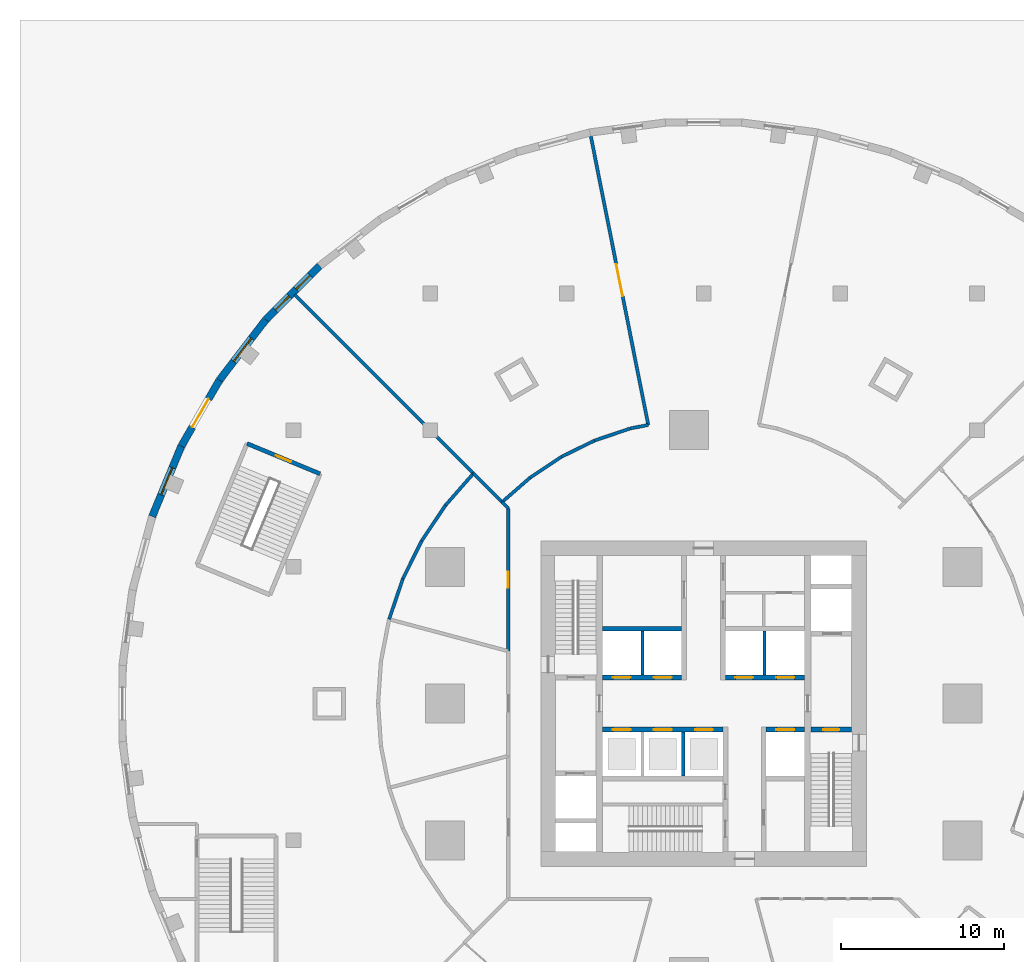
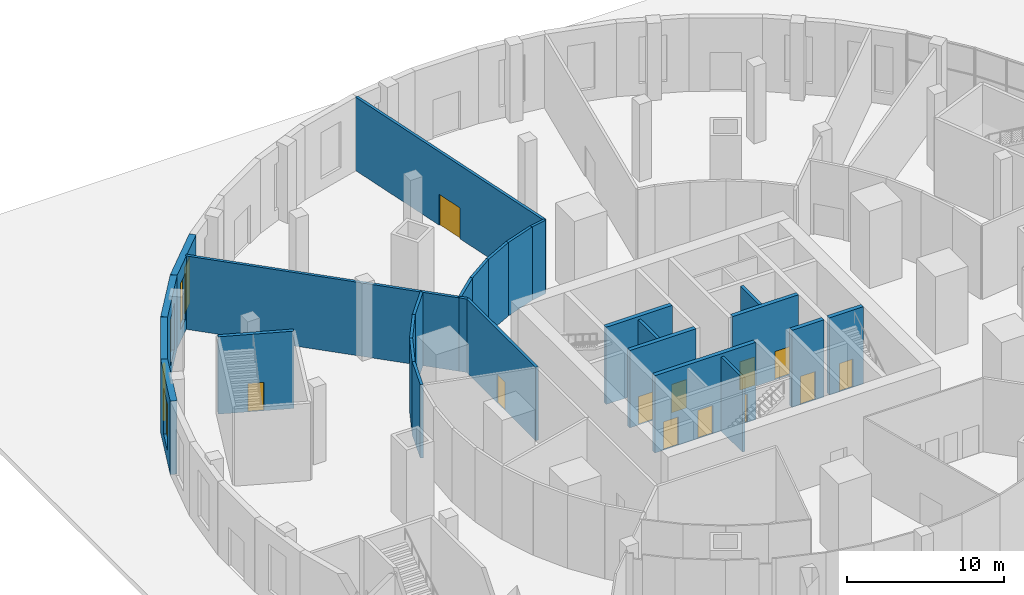
# One storey, part 12 of 19: 28 walls, 13 doors, 4 windows, 17 openings.
"""IFC4 building model written with IfcOpenShell, lengths in metres."""

from ifc_helpers import new_model, si_unit, direction, frame, frame_2d, origin, place, context, subcontext, project, spatial, rectangle, extrude, material, layer, layer_set, type_object, element, fill, save


model = new_model("IFC4")

# Units and contexts
model_context = context("Model", 3, precision=1e-05, world=origin(), true_north=direction((0.0, 1.0)))
body_context = subcontext(model_context, "Body", "Model", "MODEL_VIEW")
ifc_project = project(units=[si_unit("LENGTHUNIT", "METRE"), si_unit("AREAUNIT", "SQUARE_METRE"), si_unit("VOLUMEUNIT", "CUBIC_METRE"), si_unit("PLANEANGLEUNIT", "RADIAN"), si_unit("MASSUNIT", "GRAM", prefix="KILO")], contexts=[model_context])

# Site, building, storey
site_placement = place(None, origin())
site = spatial("IfcSite", under=ifc_project, at=site_placement, CompositionType="ELEMENT")
building_placement = place(site_placement, origin())
building = spatial("IfcBuilding", under=site, at=building_placement, Name="Golbaran Civic Tower", CompositionType="ELEMENT")
storey_placement = place(building_placement, origin())
storey = spatial("IfcBuildingStorey", under=building, at=storey_placement, Name="L00", CompositionType="ELEMENT", Elevation=0.0)

# Walls
ifc_material_1 = material(Name="Concrete block", Category="concrete")
ifc_layer_1 = layer(ifc_material_1, 0.199951171875, Name="Concrete block")
ifc_layer_set_1 = layer_set([ifc_layer_1], Name="Concrete block")
wall_type_1 = type_object("IfcWallType", Name="LIFT SEPARATOR WALL 200", PredefinedType="SOLIDWALL", material=ifc_layer_set_1)
for number, where, z_axis, x_axis, name in (
    (1, (-3.75, 1.75, 0.0), (0.0, 0.0, 1.0), (0.0, 1.0, 0.0), "Core partition SNW L00"),
    (2, (3.75, 1.75, 0.0), (0.0, 0.0, 1.0), (0.0, 1.0, 0.0), "Core partition SNE L00"),
    (3, (-1.25, -1.75, 0.0), (0.0, 0.0, 1.0), (0.0, -1.0, 0.0), "Core partition SSM L00"),
):
    element("IfcWall", number, at=place(storey_placement, frame(where, z_axis=z_axis, x_axis=x_axis)), inside=storey, type_object=wall_type_1, Name=name, PredefinedType="SOLIDWALL", context=body_context, shape_type="SweptSolid", body=[
        extrude(rectangle(XDim=2.699951171875, YDim=0.199951171875, at=frame_2d((1.35009765625, 0.0))), origin(), (0.0, 0.0, 1.0), 5.75),
    ])
ifc_material_2 = material(Name="Concrete block, plastered", Category="concrete")
ifc_layer_2 = layer(ifc_material_2, 0.199951171875, Name="Concrete block, plastered")
ifc_layer_set_2 = layer_set([ifc_layer_2], Name="Concrete block, plastered")
wall_type_2 = type_object("IfcWallType", Name="PODIUM PARTITION 200", PredefinedType="PARTITIONING", material=ifc_layer_set_2)
wall_1_placement = place(storey_placement, frame((-25.1201171875, 25.1201171875, 0.0), z_axis=(0.0, 0.0, 1.0), x_axis=(0.707106781187, -0.707106781187, 0.0)))
element("IfcWall", 4, at=wall_1_placement, inside=storey, type_object=wall_type_2, Name="Podium partition L00", PredefinedType="PARTITIONING", context=body_context, shape_type="SweptSolid", body=[
    extrude(rectangle(XDim=15.5283203125, YDim=0.199951171875, at=frame_2d((7.76416015625, 0.0))), origin(), (0.0, 0.0, 1.0), 5.699951171875),
])
wall_2_placement = place(storey_placement, frame((-19.320068359375, 5.179931640625, 0.0), z_axis=(0.0, 0.0, 1.0), x_axis=(0.320839411875, 0.947133608203, 0.0)))
element("IfcWall", 5, at=wall_2_placement, inside=storey, type_object=wall_type_2, Name="Podium partition L00", PredefinedType="PARTITIONING", context=body_context, shape_type="SweptSolid", body=[
    extrude(rectangle(XDim=2.618408203125, YDim=0.199951171875, at=frame_2d((1.30908203125, 0.0))), origin(), (0.0, 0.0, 1.0), 5.699951171875),
])
wall_3_placement = place(storey_placement, frame((-18.47998046875, 7.659912109375, 0.0), z_axis=(0.0, 0.0, 1.0), x_axis=(0.444107479291, 0.895973519049, 0.0)))
element("IfcWall", 6, at=wall_3_placement, inside=storey, type_object=wall_type_2, Name="Podium partition L00", PredefinedType="PARTITIONING", context=body_context, shape_type="SweptSolid", body=[
    extrude(rectangle(XDim=2.61181640625, YDim=0.199951171875, at=frame_2d((1.305908203125, 0.0))), origin(), (0.0, 0.0, 1.0), 5.699951171875),
])
wall_4_placement = place(storey_placement, frame((-17.320068359375, 10.0, 0.0), z_axis=(0.0, 0.0, 1.0), x_axis=(0.556459812229, 0.83087452565, 0.0)))
element("IfcWall", 7, at=wall_4_placement, inside=storey, type_object=wall_type_2, Name="Podium partition L00", PredefinedType="PARTITIONING", context=body_context, shape_type="SweptSolid", body=[
    extrude(rectangle(XDim=2.623779296875, YDim=0.199951171875, at=frame_2d((1.31201171875, 0.0))), origin(), (0.0, 0.0, 1.0), 5.699951171875),
])
wall_5_placement = place(storey_placement, frame((-15.860107421875, 12.179931640625, 0.0), z_axis=(0.0, 0.0, 1.0), x_axis=(0.659643857667, 0.751578326618, 0.0)))
element("IfcWall", 8, at=wall_5_placement, inside=storey, type_object=wall_type_2, Name="Podium partition L00", PredefinedType="PARTITIONING", context=body_context, shape_type="SweptSolid", body=[
    extrude(rectangle(XDim=2.60791015625, YDim=0.199951171875, at=frame_2d((1.303955078125, 0.0))), origin(), (0.0, 0.0, 1.0), 5.699951171875),
])
wall_6_placement = place(storey_placement, frame((-14.139892578125, 14.139892578125, 0.0), z_axis=(0.0, 0.0, 1.0), x_axis=(0.707106781187, -0.707106781187, 0.0)))
element("IfcWall", 9, at=wall_6_placement, inside=storey, type_object=wall_type_2, Name="Podium partition L00", PredefinedType="PARTITIONING", context=body_context, shape_type="SweptSolid", body=[
    extrude(rectangle(XDim=2.489013671875, YDim=0.199951171875, at=frame_2d((1.24462890625, 0.0))), origin(), (0.0, 0.0, 1.0), 5.699951171875),
])
wall_7_placement = place(storey_placement, frame((-12.3798828125, 12.3798828125, 0.0), z_axis=(0.0, 0.0, 1.0), x_axis=(0.707106781187, -0.707106781187, 0.0)))
element("IfcWall", 10, at=wall_7_placement, inside=storey, type_object=wall_type_2, Name="Podium partition L00", PredefinedType="PARTITIONING", context=body_context, shape_type="SweptSolid", body=[
    extrude(rectangle(XDim=0.537353515625, YDim=0.199951171875, at=frame_2d((0.2685546875, 0.0))), origin(), (0.0, 0.0, 1.0), 5.699951171875),
])
wall_8_placement = place(storey_placement, frame((-12.3798828125, 12.3798828125, 0.0), z_axis=(0.0, 0.0, 1.0), x_axis=(0.753655870045, 0.657269221512, 0.0)))
element("IfcWall", 11, at=wall_8_placement, inside=storey, type_object=wall_type_2, Name="Podium partition L00", PredefinedType="PARTITIONING", context=body_context, shape_type="SweptSolid", body=[
    extrude(rectangle(XDim=2.2822265625, YDim=0.199951171875, at=frame_2d((1.14111328125, 0.0))), origin(), (0.0, 0.0, 1.0), 5.699951171875),
])
wall_9_placement = place(storey_placement, frame((-10.659912109375, 13.8798828125, 0.0), z_axis=(0.0, 0.0, 1.0), x_axis=(0.83203401661, 0.554724612041, 0.0)))
element("IfcWall", 12, at=wall_9_placement, inside=storey, type_object=wall_type_2, Name="Podium partition L00", PredefinedType="PARTITIONING", context=body_context, shape_type="SweptSolid", body=[
    extrude(rectangle(XDim=2.3076171875, YDim=0.199951171875, at=frame_2d((1.15380859375, 0.0))), origin(), (0.0, 0.0, 1.0), 5.699951171875),
])
wall_10_placement = place(storey_placement, frame((-8.739990234375, 15.159912109375, 0.0), z_axis=(0.0, 0.0, 1.0), x_axis=(0.897924053718, 0.440150421736, 0.0)))
element("IfcWall", 13, at=wall_10_placement, inside=storey, type_object=wall_type_2, Name="Podium partition L00", PredefinedType="PARTITIONING", context=body_context, shape_type="SweptSolid", body=[
    extrude(rectangle(XDim=2.27197265625, YDim=0.199951171875, at=frame_2d((1.135986328125, 0.0))), origin(), (0.0, 0.0, 1.0), 5.699951171875),
])

# Wall, opening, door
wall_11_placement = place(storey_placement, frame((-6.93994140625, 34.919921875, 0.0), z_axis=(0.0, 0.0, 1.0), x_axis=(0.195060521619, -0.9807912076, 0.0)))
wall_11 = element("IfcWall", 14, at=wall_11_placement, inside=storey, type_object=wall_type_2, Name="Podium partition L00", PredefinedType="PARTITIONING", context=body_context, shape_type="SweptSolid", body=[
    extrude(rectangle(XDim=18.1484375, YDim=0.199951171875, at=frame_2d((9.07421875, 0.0))), origin(), (0.0, 0.0, 1.0), 5.699951171875),
])
opening_1_placement = place(wall_11_placement, frame((8.07421875, 0.0, 0.0)))
opening_1 = element("IfcOpeningElement", 15, at=opening_1_placement, cuts=wall_11, Name="Opening L00.21", PredefinedType="OPENING", context=body_context, shape_type="SweptSolid", body=[
    extrude(rectangle(XDim=2.0, YDim=2.39990234375, at=frame_2d((1.0, 1.199951171875))), frame((0.0, 0.10986328125, 0.0), z_axis=(0.0, -1.0, 0.0), x_axis=(1.0, 0.0, 0.0)), (0.0, 0.0, 1.0), 0.219970703125),
])
ifc_material_3 = material(Name="Timber door set in steel frame", Category="steel")
door_type_1 = type_object("IfcDoorType", Name="PUBLIC DOUBLE DOOR 2000x2400", OperationType="DOUBLE_DOOR_SINGLE_SWING", PredefinedType="DOOR", material=ifc_material_3)
door_1_placement = place(opening_1_placement, origin())
door_1 = element("IfcDoor", 16, at=door_1_placement, inside=storey, type_object=door_type_1, Name="Public Reading Room door", OperationType="DOUBLE_DOOR_SINGLE_SWING", OverallHeight=2.39990234375, OverallWidth=2.0, PredefinedType="DOOR", context=body_context, shape_type="SweptSolid", body=[
    extrude(rectangle(XDim=2.0, YDim=2.39990234375, at=frame_2d((1.0, 1.199951171875))), frame((0.0, 0.02490234375, 0.0), z_axis=(0.0, -1.0, 0.0), x_axis=(1.0, 0.0, 0.0)), (0.0, 0.0, 1.0), 0.050048828125),
])
fill(opening_1, door_1)

# Walls
wall_12_placement = place(storey_placement, frame((-6.699951171875, 16.159912109375, 0.0), z_axis=(0.0, 0.0, 1.0), x_axis=(0.946929712354, 0.321440694159, 0.0)))
element("IfcWall", 17, at=wall_12_placement, inside=storey, type_object=wall_type_2, Name="Podium partition L00", PredefinedType="PARTITIONING", context=body_context, shape_type="SweptSolid", body=[
    extrude(rectangle(XDim=2.302001953125, YDim=0.199951171875, at=frame_2d((1.15087890625, 0.0))), origin(), (0.0, 0.0, 1.0), 5.699951171875),
])
wall_13_placement = place(storey_placement, frame((-4.52001953125, 16.89990234375, 0.0), z_axis=(0.0, 0.0, 1.0), x_axis=(0.981217026057, 0.19290709623, 0.0)))
element("IfcWall", 18, at=wall_13_placement, inside=storey, type_object=wall_type_2, Name="Podium partition L00", PredefinedType="PARTITIONING", context=body_context, shape_type="SweptSolid", body=[
    extrude(rectangle(XDim=1.1416015625, YDim=0.199951171875, at=frame_2d((0.57080078125, 0.0))), origin(), (0.0, 0.0, 1.0), 5.699951171875),
])

# Wall, opening, door
wall_14_placement = place(storey_placement, frame((-12.0, 12.0, 0.0), z_axis=(0.0, 0.0, 1.0), x_axis=(0.0, -1.0, 0.0)))
wall_14 = element("IfcWall", 19, at=wall_14_placement, inside=storey, type_object=wall_type_2, Name="Podium corridor wall L00", PredefinedType="PARTITIONING", context=body_context, shape_type="SweptSolid", body=[
    extrude(rectangle(XDim=8.78466796875, YDim=0.199951171875, at=frame_2d((4.392333984375, 0.0))), origin(), (0.0, 0.0, 1.0), 5.699951171875),
])
opening_2_placement = place(wall_14_placement, frame((3.892333984375, 0.0, 0.0)))
opening_2 = element("IfcOpeningElement", 20, at=opening_2_placement, cuts=wall_14, Name="Opening L00.01", PredefinedType="OPENING", context=body_context, shape_type="SweptSolid", body=[
    extrude(rectangle(XDim=1.0, YDim=2.199951171875, at=frame_2d((0.5, 1.10009765625))), frame((0.0, 0.10986328125, 0.0), z_axis=(0.0, -1.0, 0.0), x_axis=(1.0, 0.0, 0.0)), (0.0, 0.0, 1.0), 0.219970703125),
])
door_type_2 = type_object("IfcDoorType", Name="OFFICE DOOR 1000x2200", OperationType="SINGLE_SWING_LEFT", PredefinedType="DOOR", material=ifc_material_3)
door_2_placement = place(opening_2_placement, origin())
door_2 = element("IfcDoor", 21, at=door_2_placement, inside=storey, type_object=door_type_2, Name="Fire Command Room door", OperationType="SINGLE_SWING_RIGHT", OverallHeight=2.199951171875, OverallWidth=1.0, PredefinedType="DOOR", context=body_context, shape_type="SweptSolid", body=[
    extrude(rectangle(XDim=1.0, YDim=2.199951171875, at=frame_2d((0.5, 1.10009765625))), frame((0.0, 0.02490234375, 0.0), z_axis=(0.0, -1.0, 0.0), x_axis=(1.0, 0.0, 0.0)), (0.0, 0.0, 1.0), 0.050048828125),
])
fill(opening_2, door_2)

# Wall, openings, doors
ifc_material_4 = material(Name="Concrete C50/60", Category="concrete")
ifc_layer_3 = layer(ifc_material_4, 0.300048828125, Name="Concrete C50/60")
ifc_layer_set_3 = layer_set([ifc_layer_3], Name="Concrete C50/60")
wall_type_3 = type_object("IfcWallType", Name="SHAFT WALL CONCRETE 300", PredefinedType="SOLIDWALL", material=ifc_layer_set_3)
wall_15_placement = place(storey_placement, frame((-6.199951171875, 1.60009765625, 0.0), z_axis=(0.0, 0.0, 1.0), x_axis=(1.0, 0.0, 0.0)))
wall_15 = element("IfcWall", 22, at=wall_15_placement, inside=storey, type_object=wall_type_3, Name="Core wall FNW L00", PredefinedType="SOLIDWALL", context=body_context, shape_type="SweptSolid", body=[
    extrude(rectangle(XDim=4.849853515625, YDim=0.300048828125, at=frame_2d((2.4248046875, 0.0))), origin(), (0.0, 0.0, 1.0), 6.0),
])
opening_3_placement = place(wall_15_placement, frame((0.625, 0.0, 0.0)))
opening_3 = element("IfcOpeningElement", 23, at=opening_3_placement, cuts=wall_15, Name="Opening L00.LD-Z1L", PredefinedType="OPENING", context=body_context, shape_type="SweptSolid", body=[
    extrude(rectangle(XDim=1.10009765625, YDim=2.199951171875, at=frame_2d((0.550048828125, 1.10009765625))), frame((0.0, 0.159912109375, 0.0), z_axis=(0.0, -1.0, 0.0), x_axis=(1.0, 0.0, 0.0)), (0.0, 0.0, 1.0), 0.320068359375),
])
opening_4_placement = place(wall_15_placement, frame((3.14990234375, 0.0, 0.0)))
opening_4 = element("IfcOpeningElement", 24, at=opening_4_placement, cuts=wall_15, Name="Opening L00.LD-Z2L", PredefinedType="OPENING", context=body_context, shape_type="SweptSolid", body=[
    extrude(rectangle(XDim=1.10009765625, YDim=2.199951171875, at=frame_2d((0.550048828125, 1.10009765625))), frame((0.0, 0.159912109375, 0.0), z_axis=(0.0, -1.0, 0.0), x_axis=(1.0, 0.0, 0.0)), (0.0, 0.0, 1.0), 0.320068359375),
])
ifc_material_5 = material(Name="Stainless steel", Category="steel")
door_type_3 = type_object("IfcDoorType", Name="LIFT LANDING DOOR 1100x2200", OperationType="SLIDING_TO_LEFT", PredefinedType="DOOR", material=ifc_material_5)
door_3_placement = place(opening_3_placement, origin())
door_3 = element("IfcDoor", 25, at=door_3_placement, inside=storey, type_object=door_type_3, Name="Lift landing door Z1L", OperationType="SLIDING_TO_LEFT", OverallHeight=2.199951171875, OverallWidth=1.10009765625, PredefinedType="DOOR", context=body_context, shape_type="SweptSolid", body=[
    extrude(rectangle(XDim=1.10009765625, YDim=2.199951171875, at=frame_2d((0.550048828125, 1.10009765625))), frame((0.0, 0.02490234375, 0.0), z_axis=(0.0, -1.0, 0.0), x_axis=(1.0, 0.0, 0.0)), (0.0, 0.0, 1.0), 0.050048828125),
])
fill(opening_3, door_3)
door_4_placement = place(opening_4_placement, origin())
door_4 = element("IfcDoor", 26, at=door_4_placement, inside=storey, type_object=door_type_3, Name="Lift landing door Z2L", OperationType="SLIDING_TO_LEFT", OverallHeight=2.199951171875, OverallWidth=1.10009765625, PredefinedType="DOOR", context=body_context, shape_type="SweptSolid", body=[
    extrude(rectangle(XDim=1.10009765625, YDim=2.199951171875, at=frame_2d((0.550048828125, 1.10009765625))), frame((0.0, 0.02490234375, 0.0), z_axis=(0.0, -1.0, 0.0), x_axis=(1.0, 0.0, 0.0)), (0.0, 0.0, 1.0), 0.050048828125),
])
fill(opening_4, door_4)

wall_16_placement = place(storey_placement, frame((1.35009765625, 1.60009765625, 0.0), z_axis=(0.0, 0.0, 1.0), x_axis=(1.0, 0.0, 0.0)))
wall_16 = element("IfcWall", 27, at=wall_16_placement, inside=storey, type_object=wall_type_3, Name="Core wall FNE L00", PredefinedType="SOLIDWALL", context=body_context, shape_type="SweptSolid", body=[
    extrude(rectangle(XDim=4.849853515625, YDim=0.300048828125, at=frame_2d((2.4248046875, 0.0))), origin(), (0.0, 0.0, 1.0), 6.0),
])
opening_5_placement = place(wall_16_placement, frame((0.60009765625, 0.0, 0.0)))
opening_5 = element("IfcOpeningElement", 28, at=opening_5_placement, cuts=wall_16, Name="Opening L00.LD-Z3L", PredefinedType="OPENING", context=body_context, shape_type="SweptSolid", body=[
    extrude(rectangle(XDim=1.10009765625, YDim=2.199951171875, at=frame_2d((0.550048828125, 1.10009765625))), frame((0.0, 0.159912109375, 0.0), z_axis=(0.0, -1.0, 0.0), x_axis=(1.0, 0.0, 0.0)), (0.0, 0.0, 1.0), 0.320068359375),
])
opening_6_placement = place(wall_16_placement, frame((3.125, 0.0, 0.0)))
opening_6 = element("IfcOpeningElement", 29, at=opening_6_placement, cuts=wall_16, Name="Opening L00.LD-Z4L", PredefinedType="OPENING", context=body_context, shape_type="SweptSolid", body=[
    extrude(rectangle(XDim=1.10009765625, YDim=2.199951171875, at=frame_2d((0.550048828125, 1.10009765625))), frame((0.0, 0.159912109375, 0.0), z_axis=(0.0, -1.0, 0.0), x_axis=(1.0, 0.0, 0.0)), (0.0, 0.0, 1.0), 0.320068359375),
])
door_5_placement = place(opening_5_placement, origin())
door_5 = element("IfcDoor", 30, at=door_5_placement, inside=storey, type_object=door_type_3, Name="Lift landing door Z3L", OperationType="SLIDING_TO_LEFT", OverallHeight=2.199951171875, OverallWidth=1.10009765625, PredefinedType="DOOR", context=body_context, shape_type="SweptSolid", body=[
    extrude(rectangle(XDim=1.10009765625, YDim=2.199951171875, at=frame_2d((0.550048828125, 1.10009765625))), frame((0.0, 0.02490234375, 0.0), z_axis=(0.0, -1.0, 0.0), x_axis=(1.0, 0.0, 0.0)), (0.0, 0.0, 1.0), 0.050048828125),
])
fill(opening_5, door_5)
door_6_placement = place(opening_6_placement, origin())
door_6 = element("IfcDoor", 31, at=door_6_placement, inside=storey, type_object=door_type_3, Name="Lift landing door Z4L", OperationType="SLIDING_TO_LEFT", OverallHeight=2.199951171875, OverallWidth=1.10009765625, PredefinedType="DOOR", context=body_context, shape_type="SweptSolid", body=[
    extrude(rectangle(XDim=1.10009765625, YDim=2.199951171875, at=frame_2d((0.550048828125, 1.10009765625))), frame((0.0, 0.02490234375, 0.0), z_axis=(0.0, -1.0, 0.0), x_axis=(1.0, 0.0, 0.0)), (0.0, 0.0, 1.0), 0.050048828125),
])
fill(opening_6, door_6)

# Wall
wall_17_placement = place(storey_placement, frame((-6.199951171875, 4.60009765625, 0.0), z_axis=(0.0, 0.0, 1.0), x_axis=(1.0, 0.0, 0.0)))
element("IfcWall", 32, at=wall_17_placement, inside=storey, type_object=wall_type_3, Name="Core wall BNW L00", PredefinedType="SOLIDWALL", context=body_context, shape_type="SweptSolid", body=[
    extrude(rectangle(XDim=4.849853515625, YDim=0.300048828125, at=frame_2d((2.4248046875, 0.0))), origin(), (0.0, 0.0, 1.0), 6.0),
])

# Wall, openings, doors
wall_18_placement = place(storey_placement, frame((-6.199951171875, -1.60009765625, 0.0), z_axis=(0.0, 0.0, 1.0), x_axis=(1.0, 0.0, 0.0)))
wall_18 = element("IfcWall", 33, at=wall_18_placement, inside=storey, type_object=wall_type_3, Name="Core wall FSW L00", PredefinedType="SOLIDWALL", context=body_context, shape_type="SweptSolid", body=[
    extrude(rectangle(XDim=7.39990234375, YDim=0.300048828125, at=frame_2d((3.699951171875, 0.0))), origin(), (0.0, 0.0, 1.0), 6.0),
])
opening_7_placement = place(wall_18_placement, frame((0.625, 0.0, 0.0)))
opening_7 = element("IfcOpeningElement", 34, at=opening_7_placement, cuts=wall_18, Name="Opening L00.LD-H1", PredefinedType="OPENING", context=body_context, shape_type="SweptSolid", body=[
    extrude(rectangle(XDim=1.10009765625, YDim=2.199951171875, at=frame_2d((0.550048828125, 1.10009765625))), frame((0.0, 0.159912109375, 0.0), z_axis=(0.0, -1.0, 0.0), x_axis=(1.0, 0.0, 0.0)), (0.0, 0.0, 1.0), 0.320068359375),
])
opening_8_placement = place(wall_18_placement, frame((3.14990234375, 0.0, 0.0)))
opening_8 = element("IfcOpeningElement", 35, at=opening_8_placement, cuts=wall_18, Name="Opening L00.LD-H2", PredefinedType="OPENING", context=body_context, shape_type="SweptSolid", body=[
    extrude(rectangle(XDim=1.10009765625, YDim=2.199951171875, at=frame_2d((0.550048828125, 1.10009765625))), frame((0.0, 0.159912109375, 0.0), z_axis=(0.0, -1.0, 0.0), x_axis=(1.0, 0.0, 0.0)), (0.0, 0.0, 1.0), 0.320068359375),
])
opening_9_placement = place(wall_18_placement, frame((5.675048828125, 0.0, 0.0)))
opening_9 = element("IfcOpeningElement", 36, at=opening_9_placement, cuts=wall_18, Name="Opening L00.LD-H3", PredefinedType="OPENING", context=body_context, shape_type="SweptSolid", body=[
    extrude(rectangle(XDim=1.10009765625, YDim=2.199951171875, at=frame_2d((0.550048828125, 1.10009765625))), frame((0.0, 0.159912109375, 0.0), z_axis=(0.0, -1.0, 0.0), x_axis=(1.0, 0.0, 0.0)), (0.0, 0.0, 1.0), 0.320068359375),
])
door_7_placement = place(opening_7_placement, origin())
door_7 = element("IfcDoor", 37, at=door_7_placement, inside=storey, type_object=door_type_3, Name="Lift landing door H1", OperationType="SLIDING_TO_LEFT", OverallHeight=2.199951171875, OverallWidth=1.10009765625, PredefinedType="DOOR", context=body_context, shape_type="SweptSolid", body=[
    extrude(rectangle(XDim=1.10009765625, YDim=2.199951171875, at=frame_2d((0.550048828125, 1.10009765625))), frame((0.0, 0.02490234375, 0.0), z_axis=(0.0, -1.0, 0.0), x_axis=(1.0, 0.0, 0.0)), (0.0, 0.0, 1.0), 0.050048828125),
])
fill(opening_7, door_7)
door_8_placement = place(opening_8_placement, origin())
door_8 = element("IfcDoor", 38, at=door_8_placement, inside=storey, type_object=door_type_3, Name="Lift landing door H2", OperationType="SLIDING_TO_LEFT", OverallHeight=2.199951171875, OverallWidth=1.10009765625, PredefinedType="DOOR", context=body_context, shape_type="SweptSolid", body=[
    extrude(rectangle(XDim=1.10009765625, YDim=2.199951171875, at=frame_2d((0.550048828125, 1.10009765625))), frame((0.0, 0.02490234375, 0.0), z_axis=(0.0, -1.0, 0.0), x_axis=(1.0, 0.0, 0.0)), (0.0, 0.0, 1.0), 0.050048828125),
])
fill(opening_8, door_8)
door_9_placement = place(opening_9_placement, origin())
door_9 = element("IfcDoor", 39, at=door_9_placement, inside=storey, type_object=door_type_3, Name="Lift landing door H3", OperationType="SLIDING_TO_LEFT", OverallHeight=2.199951171875, OverallWidth=1.10009765625, PredefinedType="DOOR", context=body_context, shape_type="SweptSolid", body=[
    extrude(rectangle(XDim=1.10009765625, YDim=2.199951171875, at=frame_2d((0.550048828125, 1.10009765625))), frame((0.0, 0.02490234375, 0.0), z_axis=(0.0, -1.0, 0.0), x_axis=(1.0, 0.0, 0.0)), (0.0, 0.0, 1.0), 0.050048828125),
])
fill(opening_9, door_9)

# Wall, opening, door
wall_19_placement = place(storey_placement, frame((3.85009765625, -1.60009765625, 0.0), z_axis=(0.0, 0.0, 1.0), x_axis=(1.0, 0.0, 0.0)))
wall_19 = element("IfcWall", 40, at=wall_19_placement, inside=storey, type_object=wall_type_3, Name="Core wall FSE L00", PredefinedType="SOLIDWALL", context=body_context, shape_type="SweptSolid", body=[
    extrude(rectangle(XDim=2.349853515625, YDim=0.300048828125, at=frame_2d((1.1748046875, 0.0))), origin(), (0.0, 0.0, 1.0), 6.0),
])
opening_10_placement = place(wall_19_placement, frame((0.625, 0.0, 0.0)))
opening_10 = element("IfcOpeningElement", 41, at=opening_10_placement, cuts=wall_19, Name="Opening L00.LD-V1", PredefinedType="OPENING", context=body_context, shape_type="SweptSolid", body=[
    extrude(rectangle(XDim=1.10009765625, YDim=2.199951171875, at=frame_2d((0.550048828125, 1.10009765625))), frame((0.0, 0.159912109375, 0.0), z_axis=(0.0, -1.0, 0.0), x_axis=(1.0, 0.0, 0.0)), (0.0, 0.0, 1.0), 0.320068359375),
])
door_10_placement = place(opening_10_placement, origin())
door_10 = element("IfcDoor", 42, at=door_10_placement, inside=storey, type_object=door_type_3, Name="Lift landing door V1", OperationType="SLIDING_TO_LEFT", OverallHeight=2.199951171875, OverallWidth=1.10009765625, PredefinedType="DOOR", context=body_context, shape_type="SweptSolid", body=[
    extrude(rectangle(XDim=1.10009765625, YDim=2.199951171875, at=frame_2d((0.550048828125, 1.10009765625))), frame((0.0, 0.02490234375, 0.0), z_axis=(0.0, -1.0, 0.0), x_axis=(1.0, 0.0, 0.0)), (0.0, 0.0, 1.0), 0.050048828125),
])
fill(opening_10, door_10)

wall_20_placement = place(storey_placement, frame((6.60009765625, -1.60009765625, 0.0), z_axis=(0.0, 0.0, 1.0), x_axis=(1.0, 0.0, 0.0)))
wall_20 = element("IfcWall", 43, at=wall_20_placement, inside=storey, type_object=wall_type_3, Name="Core wall XE1 L00", PredefinedType="SOLIDWALL", context=body_context, shape_type="SweptSolid", body=[
    extrude(rectangle(XDim=2.5, YDim=0.300048828125, at=frame_2d((1.25, 0.0))), origin(), (0.0, 0.0, 1.0), 6.0),
])
opening_11_placement = place(wall_20_placement, frame((0.75, 0.0, 0.0)))
opening_11 = element("IfcOpeningElement", 44, at=opening_11_placement, cuts=wall_20, Name="Opening L00.S2", PredefinedType="OPENING", context=body_context, shape_type="SweptSolid", body=[
    extrude(rectangle(XDim=1.0, YDim=2.199951171875, at=frame_2d((0.5, 1.10009765625))), frame((0.0, 0.159912109375, 0.0), z_axis=(0.0, -1.0, 0.0), x_axis=(1.0, 0.0, 0.0)), (0.0, 0.0, 1.0), 0.320068359375),
])
door_type_4 = type_object("IfcDoorType", Name="STAIR DOOR 1000x2200", OperationType="SINGLE_SWING_LEFT", PredefinedType="DOOR", material=ifc_material_3)
door_11_placement = place(opening_11_placement, origin())
door_11 = element("IfcDoor", 45, at=door_11_placement, inside=storey, type_object=door_type_4, Name="Stair S2 door", OperationType="SINGLE_SWING_LEFT", OverallHeight=2.199951171875, OverallWidth=1.0, PredefinedType="DOOR", context=body_context, shape_type="SweptSolid", body=[
    extrude(rectangle(XDim=1.0, YDim=2.199951171875, at=frame_2d((0.5, 1.10009765625))), frame((0.0, 0.02490234375, 0.0), z_axis=(0.0, -1.0, 0.0), x_axis=(1.0, 0.0, 0.0)), (0.0, 0.0, 1.0), 0.050048828125),
])
fill(opening_11, door_11)

ifc_layer_4 = layer(ifc_material_4, 0.25, Name="Concrete C50/60")
ifc_layer_set_4 = layer_set([ifc_layer_4], Name="Concrete C50/60")
wall_type_4 = type_object("IfcWallType", Name="STAIR ENCLOSURE WALL CONCRETE 250", PredefinedType="SOLIDWALL", material=ifc_layer_set_4)
wall_21_placement = place(storey_placement, frame((-28.046875, 15.97412109375, 0.0), z_axis=(0.0, 0.0, 1.0), x_axis=(0.923862828997, -0.382723755727, 0.0)))
wall_21 = element("IfcWall", 46, at=wall_21_placement, inside=storey, type_object=wall_type_4, Name="Stair P2 enclosure A L00", PredefinedType="SOLIDWALL", context=body_context, shape_type="SweptSolid", body=[
    extrude(rectangle(XDim=4.85009765625, YDim=0.25, at=frame_2d((2.425048828125, 0.0))), origin(), (0.0, 0.0, 1.0), 6.0),
])
opening_12_placement = place(wall_21_placement, frame((1.925048828125, 0.0, 0.0)))
opening_12 = element("IfcOpeningElement", 47, at=opening_12_placement, cuts=wall_21, Name="Opening L00.P2", PredefinedType="OPENING", context=body_context, shape_type="SweptSolid", body=[
    extrude(rectangle(XDim=1.0, YDim=2.199951171875, at=frame_2d((0.5, 1.10009765625))), frame((0.0, 0.135009765625, 0.0), z_axis=(0.0, -1.0, 0.0), x_axis=(1.0, 0.0, 0.0)), (0.0, 0.0, 1.0), 0.27001953125),
])
door_12_placement = place(opening_12_placement, origin())
door_12 = element("IfcDoor", 48, at=door_12_placement, inside=storey, type_object=door_type_4, Name="Stair P2 door", OperationType="SINGLE_SWING_LEFT", OverallHeight=2.199951171875, OverallWidth=1.0, PredefinedType="DOOR", context=body_context, shape_type="SweptSolid", body=[
    extrude(rectangle(XDim=1.0, YDim=2.199951171875, at=frame_2d((0.5, 1.10009765625))), frame((0.0, 0.02490234375, 0.0), z_axis=(0.0, -1.0, 0.0), x_axis=(1.0, 0.0, 0.0)), (0.0, 0.0, 1.0), 0.050048828125),
])
fill(opening_12, door_12)

# Wall, openings, windows
ifc_material_6 = material(Name="Terracotta brick", Category="masonry")
ifc_layer_5 = layer(ifc_material_6, 0.449951171875, Name="Terracotta brick")
ifc_layer_set_5 = layer_set([ifc_layer_5], Name="Terracotta brick")
wall_type_5 = type_object("IfcWallType", Name="TERRACOTTA BRICK FACADE WALL 450", PredefinedType="SOLIDWALL", material=ifc_layer_set_5)
wall_22_placement = place(storey_placement, frame((-23.588134765625, 26.89697265625, 0.0), z_axis=(0.0, 0.0, 1.0), x_axis=(-0.707106781187, -0.707106781187, 0.0)))
wall_22 = element("IfcWall", 49, at=wall_22_placement, inside=storey, type_object=wall_type_5, Name="Podium wall L00 facet 18", PredefinedType="SOLIDWALL", context=body_context, shape_type="SweptSolid", body=[
    extrude(rectangle(XDim=4.679443359375, YDim=0.449951171875, at=frame_2d((2.33984375, 0.0))), origin(), (0.0, 0.0, 1.0), 5.699951171875),
])
opening_13_placement = place(wall_22_placement, frame((0.840087890625, 0.0, 0.89990234375)))
opening_13 = element("IfcOpeningElement", 50, at=opening_13_placement, cuts=wall_22, Name="Opening L00.W11", PredefinedType="OPENING", context=body_context, shape_type="SweptSolid", body=[
    extrude(rectangle(XDim=1.199951171875, YDim=3.60009765625, at=frame_2d((0.60009765625, 1.800048828125))), frame((0.0, 0.23486328125, 0.0), z_axis=(0.0, -1.0, 0.0), x_axis=(1.0, 0.0, 0.0)), (0.0, 0.0, 1.0), 0.469970703125),
])
opening_14_placement = place(wall_22_placement, frame((2.639892578125, 0.0, 0.89990234375)))
opening_14 = element("IfcOpeningElement", 51, at=opening_14_placement, cuts=wall_22, Name="Opening L00.W12", PredefinedType="OPENING", context=body_context, shape_type="SweptSolid", body=[
    extrude(rectangle(XDim=1.199951171875, YDim=3.60009765625, at=frame_2d((0.60009765625, 1.800048828125))), frame((0.0, 0.23486328125, 0.0), z_axis=(0.0, -1.0, 0.0), x_axis=(1.0, 0.0, 0.0)), (0.0, 0.0, 1.0), 0.469970703125),
])
ifc_material_7 = material(Name="Aluminium frame, clear glass", Category="aluminium")
window_type_1 = type_object("IfcWindowType", Name="PODIUM PAIRED WINDOW 1200x3600", PartitioningType="SINGLE_PANEL", PredefinedType="WINDOW", material=ifc_material_7)
window_1_placement = place(opening_13_placement, origin())
window_1 = element("IfcWindow", 52, at=window_1_placement, inside=storey, type_object=window_type_1, Name="Podium window L00 facet 18a", OverallHeight=3.60009765625, OverallWidth=1.199951171875, PartitioningType="SINGLE_PANEL", PredefinedType="WINDOW", context=body_context, shape_type="SweptSolid", body=[
    extrude(rectangle(XDim=1.199951171875, YDim=3.60009765625, at=frame_2d((0.60009765625, 1.800048828125))), frame((0.0, 0.030029296875, 0.0), z_axis=(0.0, -1.0, 0.0), x_axis=(1.0, 0.0, 0.0)), (0.0, 0.0, 1.0), 0.06005859375),
])
fill(opening_13, window_1)
window_2_placement = place(opening_14_placement, origin())
window_2 = element("IfcWindow", 53, at=window_2_placement, inside=storey, type_object=window_type_1, Name="Podium window L00 facet 18b", OverallHeight=3.60009765625, OverallWidth=1.199951171875, PartitioningType="SINGLE_PANEL", PredefinedType="WINDOW", context=body_context, shape_type="SweptSolid", body=[
    extrude(rectangle(XDim=1.199951171875, YDim=3.60009765625, at=frame_2d((0.60009765625, 1.800048828125))), frame((0.0, 0.030029296875, 0.0), z_axis=(0.0, -1.0, 0.0), x_axis=(1.0, 0.0, 0.0)), (0.0, 0.0, 1.0), 0.06005859375),
])
fill(opening_14, window_2)

# Wall, opening, window
wall_23_placement = place(storey_placement, frame((-26.89697265625, 23.588134765625, 0.0), z_axis=(0.0, 0.0, 1.0), x_axis=(-0.608769916927, -0.79334682721, 0.0)))
wall_23 = element("IfcWall", 54, at=wall_23_placement, inside=storey, type_object=wall_type_5, Name="Podium wall L00 facet 19", PredefinedType="SOLIDWALL", context=body_context, shape_type="SweptSolid", body=[
    extrude(rectangle(XDim=4.6796875, YDim=0.449951171875, at=frame_2d((2.33984375, 0.0))), origin(), (0.0, 0.0, 1.0), 5.699951171875),
])
opening_15_placement = place(wall_23_placement, frame((1.439697265625, 0.0, 0.89990234375)))
opening_15 = element("IfcOpeningElement", 55, at=opening_15_placement, cuts=wall_23, Name="Opening L00.W13", PredefinedType="OPENING", context=body_context, shape_type="SweptSolid", body=[
    extrude(rectangle(XDim=1.800048828125, YDim=3.60009765625, at=frame_2d((0.89990234375, 1.800048828125))), frame((0.0, 0.23486328125, 0.0), z_axis=(0.0, -1.0, 0.0), x_axis=(1.0, 0.0, 0.0)), (0.0, 0.0, 1.0), 0.469970703125),
])
window_type_2 = type_object("IfcWindowType", Name="PODIUM WINDOW 1800x3600", PartitioningType="SINGLE_PANEL", PredefinedType="WINDOW", material=ifc_material_7)
window_3_placement = place(opening_15_placement, origin())
window_3 = element("IfcWindow", 56, at=window_3_placement, inside=storey, type_object=window_type_2, Name="Podium window L00 facet 19", OverallHeight=3.60009765625, OverallWidth=1.800048828125, PartitioningType="SINGLE_PANEL", PredefinedType="WINDOW", context=body_context, shape_type="SweptSolid", body=[
    extrude(rectangle(XDim=1.800048828125, YDim=3.60009765625, at=frame_2d((0.89990234375, 1.800048828125))), frame((0.0, 0.030029296875, 0.0), z_axis=(0.0, -1.0, 0.0), x_axis=(1.0, 0.0, 0.0)), (0.0, 0.0, 1.0), 0.06005859375),
])
fill(opening_15, window_3)

# Wall, opening, door
wall_24_placement = place(storey_placement, frame((-29.745849609375, 19.87548828125, 0.0), z_axis=(0.0, 0.0, 1.0), x_axis=(-0.500022025083, -0.866012687223, 0.0)))
wall_24 = element("IfcWall", 57, at=wall_24_placement, inside=storey, type_object=wall_type_5, Name="Podium wall L00 facet 20", PredefinedType="SOLIDWALL", context=body_context, shape_type="SweptSolid", body=[
    extrude(rectangle(XDim=4.679443359375, YDim=0.449951171875, at=frame_2d((2.33984375, 0.0))), origin(), (0.0, 0.0, 1.0), 5.699951171875),
])
opening_16_placement = place(wall_24_placement, frame((1.33984375, 0.0, 0.0)))
opening_16 = element("IfcOpeningElement", 58, at=opening_16_placement, cuts=wall_24, Name="Opening L00.08", PredefinedType="OPENING", context=body_context, shape_type="SweptSolid", body=[
    extrude(rectangle(XDim=2.0, YDim=3.0, at=frame_2d((1.0, 1.5))), frame((0.0, 0.23486328125, 0.0), z_axis=(0.0, -1.0, 0.0), x_axis=(1.0, 0.0, 0.0)), (0.0, 0.0, 1.0), 0.469970703125),
])
ifc_material_8 = material(Name="Bronze-finished aluminium and glass", Category="aluminium")
door_type_5 = type_object("IfcDoorType", Name="ENTRANCE DOOR 2000x3000", OperationType="DOUBLE_DOOR_SINGLE_SWING", PredefinedType="DOOR", material=ifc_material_8)
door_13_placement = place(opening_16_placement, frame((2.0, 0.0, 0.0), z_axis=(0.0, 0.0, 1.0), x_axis=(-1.0, 0.0, 0.0)))
door_13 = element("IfcDoor", 59, at=door_13_placement, inside=storey, type_object=door_type_5, Name="West Entrance door", OperationType="DOUBLE_DOOR_SINGLE_SWING", OverallHeight=3.0, OverallWidth=2.0, PredefinedType="DOOR", context=body_context, shape_type="SweptSolid", body=[
    extrude(rectangle(XDim=2.0, YDim=3.0, at=frame_2d((1.0, 1.5))), frame((0.0, 0.02490234375, 0.0), z_axis=(0.0, -1.0, 0.0), x_axis=(1.0, 0.0, 0.0)), (0.0, 0.0, 1.0), 0.050048828125),
])
fill(opening_16, door_13)

# Wall, opening, window
wall_25_placement = place(storey_placement, frame((-32.085693359375, 15.822998046875, 0.0), z_axis=(0.0, 0.0, 1.0), x_axis=(-0.382669718086, -0.923885213032, 0.0)))
wall_25 = element("IfcWall", 60, at=wall_25_placement, inside=storey, type_object=wall_type_5, Name="Podium wall L00 facet 21", PredefinedType="SOLIDWALL", context=body_context, shape_type="SweptSolid", body=[
    extrude(rectangle(XDim=4.6796875, YDim=0.449951171875, at=frame_2d((2.33984375, 0.0))), origin(), (0.0, 0.0, 1.0), 5.699951171875),
])
opening_17_placement = place(wall_25_placement, frame((1.439697265625, 0.0, 0.89990234375)))
opening_17 = element("IfcOpeningElement", 61, at=opening_17_placement, cuts=wall_25, Name="Opening L00.W14", PredefinedType="OPENING", context=body_context, shape_type="SweptSolid", body=[
    extrude(rectangle(XDim=1.800048828125, YDim=3.60009765625, at=frame_2d((0.89990234375, 1.800048828125))), frame((0.0, 0.23486328125, 0.0), z_axis=(0.0, -1.0, 0.0), x_axis=(1.0, 0.0, 0.0)), (0.0, 0.0, 1.0), 0.469970703125),
])
window_4_placement = place(opening_17_placement, origin())
window_4 = element("IfcWindow", 62, at=window_4_placement, inside=storey, type_object=window_type_2, Name="Podium window L00 facet 21", OverallHeight=3.60009765625, OverallWidth=1.800048828125, PartitioningType="SINGLE_PANEL", PredefinedType="WINDOW", context=body_context, shape_type="SweptSolid", body=[
    extrude(rectangle(XDim=1.800048828125, YDim=3.60009765625, at=frame_2d((0.89990234375, 1.800048828125))), frame((0.0, 0.030029296875, 0.0), z_axis=(0.0, -1.0, 0.0), x_axis=(1.0, 0.0, 0.0)), (0.0, 0.0, 1.0), 0.06005859375),
])
fill(opening_17, window_4)

save(model, "model.ifc")
